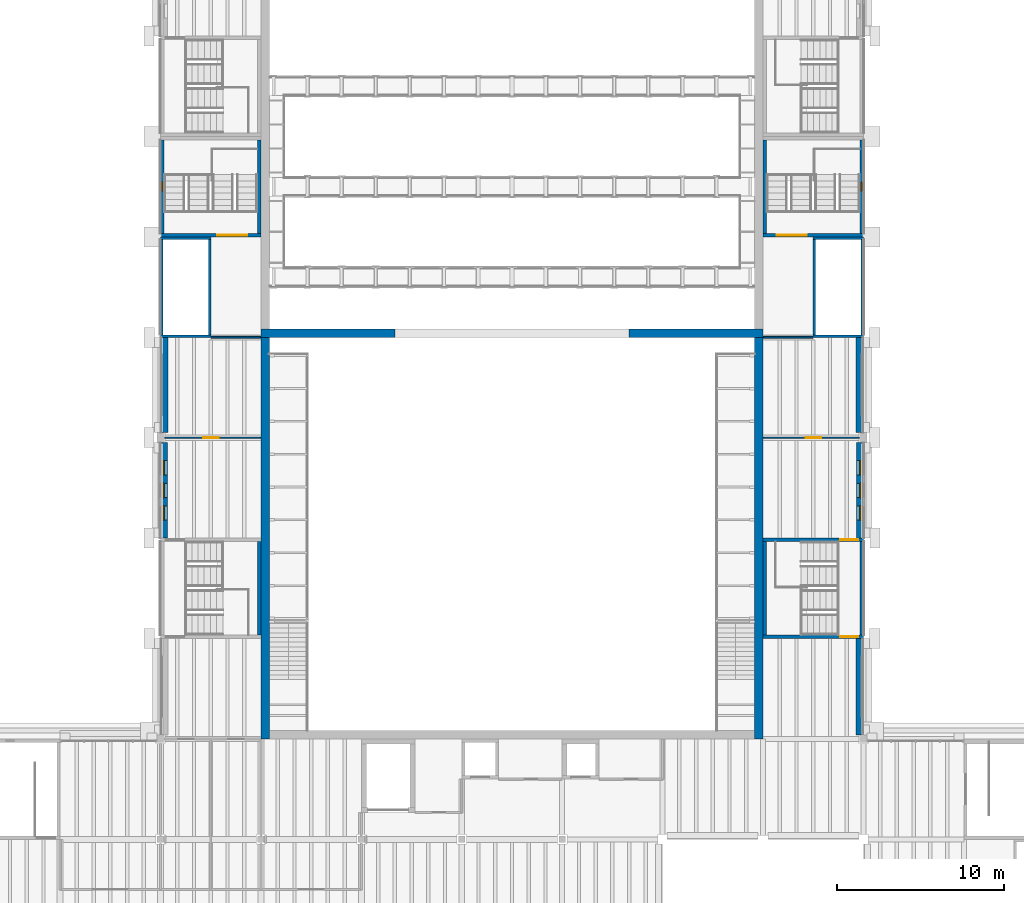
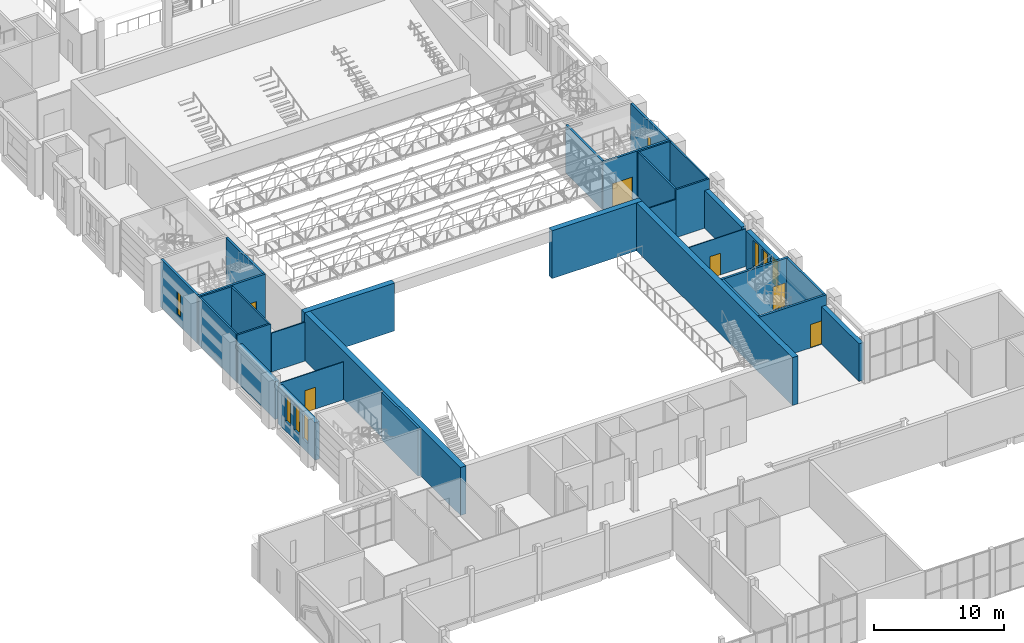
# One storey, part 27 of 70: 32 walls, 8 windows, 6 doors, 14 openings.
"""IFC4 building model written with IfcOpenShell, lengths in metres."""

from ifc_helpers import new_model, si_unit, direction, frame, frame_2d, origin, place, context, subcontext, project, spatial, rectangle, extrude, material, layer, layer_set, type_object, element, fill, save


model = new_model("IFC4")

# Units and contexts
model_context = context("Model", 3, precision=1e-05, world=origin(), true_north=direction((0.0, 1.0)))
body_context = subcontext(model_context, "Body", "Model", "MODEL_VIEW")
ifc_project = project(units=[si_unit("LENGTHUNIT", "METRE"), si_unit("AREAUNIT", "SQUARE_METRE"), si_unit("VOLUMEUNIT", "CUBIC_METRE"), si_unit("PLANEANGLEUNIT", "RADIAN"), si_unit("MASSUNIT", "GRAM", prefix="KILO")], contexts=[model_context])

# Site, building, storey
site_placement = place(None, origin())
site = spatial("IfcSite", under=ifc_project, at=site_placement, CompositionType="ELEMENT")
building_placement = place(site_placement, origin())
building = spatial("IfcBuilding", under=site, at=building_placement, Name="Saffron Lane Theatres", CompositionType="ELEMENT")
storey_placement = place(building_placement, frame((0.0, 0.0, 12.0)))
storey = spatial("IfcBuildingStorey", under=building, at=storey_placement, Name="L02", CompositionType="ELEMENT", Elevation=12.0)

# Wall, openings, windows
ifc_material_1 = material(Name="Masonry pale clay brick", Category="masonry")
ifc_layer_1 = layer(ifc_material_1, 0.11, Name="facing leaf")
ifc_material_2 = material(Name="Air cavity", Category="air")
ifc_layer_2 = layer(ifc_material_2, 0.05, ventilated=True, Name="cavity")
ifc_material_3 = material(Name="Mineral wool insulation")
ifc_layer_3 = layer(ifc_material_3, 0.06, Name="insulation")
ifc_material_4 = material(Name="Concrete N40 (40 MPa)", Category="concrete")
ifc_layer_4 = layer(ifc_material_4, 0.18, Name="inner leaf")
ifc_layer_set_1 = layer_set([ifc_layer_1, ifc_layer_2, ifc_layer_3, ifc_layer_4], Name="Masonry pale clay brick")
wall_type_1 = type_object("IfcWallType", Name="EX-WALL BRICK 400", PredefinedType="SOLIDWALL", material=ifc_layer_set_1)
wall_1_placement = place(storey_placement, frame((12.199951171875, 42.0, 0.0), z_axis=(0.0, 0.0, 1.0), x_axis=(0.0, 1.0, 0.0)))
wall_1 = element("IfcWall", 1, at=wall_1_placement, inside=storey, type_object=wall_type_1, Name="External wall L02 02", PredefinedType="SOLIDWALL", context=body_context, shape_type="SweptSolid", body=[
    extrude(rectangle(XDim=5.699951171875, YDim=0.39990234375, at=frame_2d((2.85009765625, 0.0))), origin(), (0.0, 0.0, 1.0), 3.550048828125),
])
opening_1_placement = place(wall_1_placement, frame((1.074951171875, 0.0, 0.89990234375)))
opening_1 = element("IfcOpeningElement", 2, at=opening_1_placement, cuts=wall_1, Name="Opening WN02-001", PredefinedType="OPENING", context=body_context, shape_type="SweptSolid", body=[
    extrude(rectangle(XDim=0.85009765625, YDim=2.449951171875, at=frame_2d((0.425048828125, 1.22509765625))), frame((0.0, 0.2099609375, 0.0), z_axis=(0.0, -1.0, 0.0), x_axis=(1.0, 0.0, 0.0)), (0.0, 0.0, 1.0), 0.419921875),
])
opening_2_placement = place(wall_1_placement, frame((2.425048828125, 0.0, 0.89990234375)))
opening_2 = element("IfcOpeningElement", 3, at=opening_2_placement, cuts=wall_1, Name="Opening WN02-002", PredefinedType="OPENING", context=body_context, shape_type="SweptSolid", body=[
    extrude(rectangle(XDim=0.85009765625, YDim=2.449951171875, at=frame_2d((0.425048828125, 1.22509765625))), frame((0.0, 0.2099609375, 0.0), z_axis=(0.0, -1.0, 0.0), x_axis=(1.0, 0.0, 0.0)), (0.0, 0.0, 1.0), 0.419921875),
])
opening_3_placement = place(wall_1_placement, frame((3.77490234375, 0.0, 0.89990234375)))
opening_3 = element("IfcOpeningElement", 4, at=opening_3_placement, cuts=wall_1, Name="Opening WN02-003", PredefinedType="OPENING", context=body_context, shape_type="SweptSolid", body=[
    extrude(rectangle(XDim=0.85009765625, YDim=2.449951171875, at=frame_2d((0.425048828125, 1.22509765625))), frame((0.0, 0.2099609375, 0.0), z_axis=(0.0, -1.0, 0.0), x_axis=(1.0, 0.0, 0.0)), (0.0, 0.0, 1.0), 0.419921875),
])
ifc_material_5 = material(Name="Aluminium", Category="aluminium")
window_type_1 = type_object("IfcWindowType", Name="EX-WINDOW 850x2450", PartitioningType="SINGLE_PANEL", PredefinedType="WINDOW", material=ifc_material_5)
window_1_placement = place(opening_1_placement, origin())
window_1 = element("IfcWindow", 5, at=window_1_placement, inside=storey, type_object=window_type_1, Name="Window L02 001", OverallHeight=2.449951171875, OverallWidth=0.85009765625, PartitioningType="SINGLE_PANEL", PredefinedType="WINDOW", context=body_context, shape_type="SweptSolid", body=[
    extrude(rectangle(XDim=0.85009765625, YDim=2.449951171875, at=frame_2d((0.425048828125, 1.22509765625))), frame((0.0, 0.030029296875, 0.0), z_axis=(0.0, -1.0, 0.0), x_axis=(1.0, 0.0, 0.0)), (0.0, 0.0, 1.0), 0.06005859375),
])
fill(opening_1, window_1)
window_2_placement = place(opening_2_placement, origin())
window_2 = element("IfcWindow", 6, at=window_2_placement, inside=storey, type_object=window_type_1, Name="Window L02 002", OverallHeight=2.449951171875, OverallWidth=0.85009765625, PartitioningType="SINGLE_PANEL", PredefinedType="WINDOW", context=body_context, shape_type="SweptSolid", body=[
    extrude(rectangle(XDim=0.85009765625, YDim=2.449951171875, at=frame_2d((0.425048828125, 1.22509765625))), frame((0.0, 0.030029296875, 0.0), z_axis=(0.0, -1.0, 0.0), x_axis=(1.0, 0.0, 0.0)), (0.0, 0.0, 1.0), 0.06005859375),
])
fill(opening_2, window_2)
window_3_placement = place(opening_3_placement, origin())
window_3 = element("IfcWindow", 7, at=window_3_placement, inside=storey, type_object=window_type_1, Name="Window L02 003", OverallHeight=2.449951171875, OverallWidth=0.85009765625, PartitioningType="SINGLE_PANEL", PredefinedType="WINDOW", context=body_context, shape_type="SweptSolid", body=[
    extrude(rectangle(XDim=0.85009765625, YDim=2.449951171875, at=frame_2d((0.425048828125, 1.22509765625))), frame((0.0, 0.030029296875, 0.0), z_axis=(0.0, -1.0, 0.0), x_axis=(1.0, 0.0, 0.0)), (0.0, 0.0, 1.0), 0.06005859375),
])
fill(opening_3, window_3)

# Walls
for number, where, z_axis, x_axis, name in (
    (8, (12.25, 48.300048828125, 0.0), (0.0, 0.0, 1.0), (0.0, 1.0, 0.0), "External wall L02 03"),
    (9, (53.75, 54.0, 0.0), (0.0, 0.0, 1.0), (0.0, -1.0, 0.0), "External wall L02 23"),
):
    element("IfcWall", number, at=place(storey_placement, frame(where, z_axis=z_axis, x_axis=x_axis)), inside=storey, type_object=wall_type_1, Name=name, PredefinedType="SOLIDWALL", context=body_context, shape_type="SweptSolid", body=[
        extrude(rectangle(XDim=5.699951171875, YDim=0.39990234375, at=frame_2d((2.85009765625, 0.0))), origin(), (0.0, 0.0, 1.0), 3.550048828125),
    ])

# Wall, openings, windows
wall_2_placement = place(storey_placement, frame((53.800048828125, 47.699951171875, 0.0), z_axis=(0.0, 0.0, 1.0), x_axis=(0.0, -1.0, 0.0)))
wall_2 = element("IfcWall", 10, at=wall_2_placement, inside=storey, type_object=wall_type_1, Name="External wall L02 24", PredefinedType="SOLIDWALL", context=body_context, shape_type="SweptSolid", body=[
    extrude(rectangle(XDim=5.699951171875, YDim=0.39990234375, at=frame_2d((2.85009765625, 0.0))), origin(), (0.0, 0.0, 1.0), 3.550048828125),
])
opening_4_placement = place(wall_2_placement, frame((1.074951171875, 0.0, 0.89990234375)))
opening_4 = element("IfcOpeningElement", 11, at=opening_4_placement, cuts=wall_2, Name="Opening WN02-024", PredefinedType="OPENING", context=body_context, shape_type="SweptSolid", body=[
    extrude(rectangle(XDim=0.85009765625, YDim=2.449951171875, at=frame_2d((0.425048828125, 1.22509765625))), frame((0.0, 0.2099609375, 0.0), z_axis=(0.0, -1.0, 0.0), x_axis=(1.0, 0.0, 0.0)), (0.0, 0.0, 1.0), 0.419921875),
])
opening_5_placement = place(wall_2_placement, frame((2.425048828125, 0.0, 0.89990234375)))
opening_5 = element("IfcOpeningElement", 12, at=opening_5_placement, cuts=wall_2, Name="Opening WN02-025", PredefinedType="OPENING", context=body_context, shape_type="SweptSolid", body=[
    extrude(rectangle(XDim=0.85009765625, YDim=2.449951171875, at=frame_2d((0.425048828125, 1.22509765625))), frame((0.0, 0.2099609375, 0.0), z_axis=(0.0, -1.0, 0.0), x_axis=(1.0, 0.0, 0.0)), (0.0, 0.0, 1.0), 0.419921875),
])
opening_6_placement = place(wall_2_placement, frame((3.77490234375, 0.0, 0.89990234375)))
opening_6 = element("IfcOpeningElement", 13, at=opening_6_placement, cuts=wall_2, Name="Opening WN02-026", PredefinedType="OPENING", context=body_context, shape_type="SweptSolid", body=[
    extrude(rectangle(XDim=0.85009765625, YDim=2.449951171875, at=frame_2d((0.425048828125, 1.22509765625))), frame((0.0, 0.2099609375, 0.0), z_axis=(0.0, -1.0, 0.0), x_axis=(1.0, 0.0, 0.0)), (0.0, 0.0, 1.0), 0.419921875),
])
window_4_placement = place(opening_4_placement, origin())
window_4 = element("IfcWindow", 14, at=window_4_placement, inside=storey, type_object=window_type_1, Name="Window L02 024", OverallHeight=2.449951171875, OverallWidth=0.85009765625, PartitioningType="SINGLE_PANEL", PredefinedType="WINDOW", context=body_context, shape_type="SweptSolid", body=[
    extrude(rectangle(XDim=0.85009765625, YDim=2.449951171875, at=frame_2d((0.425048828125, 1.22509765625))), frame((0.0, 0.030029296875, 0.0), z_axis=(0.0, -1.0, 0.0), x_axis=(1.0, 0.0, 0.0)), (0.0, 0.0, 1.0), 0.06005859375),
])
fill(opening_4, window_4)
window_5_placement = place(opening_5_placement, origin())
window_5 = element("IfcWindow", 15, at=window_5_placement, inside=storey, type_object=window_type_1, Name="Window L02 025", OverallHeight=2.449951171875, OverallWidth=0.85009765625, PartitioningType="SINGLE_PANEL", PredefinedType="WINDOW", context=body_context, shape_type="SweptSolid", body=[
    extrude(rectangle(XDim=0.85009765625, YDim=2.449951171875, at=frame_2d((0.425048828125, 1.22509765625))), frame((0.0, 0.030029296875, 0.0), z_axis=(0.0, -1.0, 0.0), x_axis=(1.0, 0.0, 0.0)), (0.0, 0.0, 1.0), 0.06005859375),
])
fill(opening_5, window_5)
window_6_placement = place(opening_6_placement, origin())
window_6 = element("IfcWindow", 16, at=window_6_placement, inside=storey, type_object=window_type_1, Name="Window L02 026", OverallHeight=2.449951171875, OverallWidth=0.85009765625, PartitioningType="SINGLE_PANEL", PredefinedType="WINDOW", context=body_context, shape_type="SweptSolid", body=[
    extrude(rectangle(XDim=0.85009765625, YDim=2.449951171875, at=frame_2d((0.425048828125, 1.22509765625))), frame((0.0, 0.030029296875, 0.0), z_axis=(0.0, -1.0, 0.0), x_axis=(1.0, 0.0, 0.0)), (0.0, 0.0, 1.0), 0.06005859375),
])
fill(opening_6, window_6)

# Walls
wall_3_placement = place(storey_placement, frame((53.75, 36.0, 0.0), z_axis=(0.0, 0.0, 1.0), x_axis=(0.0, -1.0, 0.0)))
element("IfcWall", 17, at=wall_3_placement, inside=storey, type_object=wall_type_1, Name="External wall L02 25", PredefinedType="SOLIDWALL", context=body_context, shape_type="SweptSolid", body=[
    extrude(rectangle(XDim=5.77490234375, YDim=0.39990234375, at=frame_2d((2.887451171875, 0.0))), origin(), (0.0, 0.0, 1.0), 3.550048828125),
])
ifc_material_6 = material(Name="Masonry block partition", Category="masonry")
ifc_layer_5 = layer(ifc_material_6, 0.110107421875)
ifc_layer_set_2 = layer_set([ifc_layer_5], Name="Masonry block partition")
wall_type_2 = type_object("IfcWallType", Name="IN-BLOCK PARTITION 110", PredefinedType="PARTITIONING", material=ifc_layer_set_2)
for number, where, z_axis, x_axis, name in (
    (18, (15.02001953125, 54.0, 0.0), (0.0, 0.0, 1.0), (1.0, 0.0, 0.0), "PW-L02-002"),
    (19, (48.02001953125, 54.0, 0.0), (0.0, 0.0, 1.0), (1.0, 0.0, 0.0), "PW-L02-012"),
):
    element("IfcWall", number, at=place(storey_placement, frame(where, z_axis=z_axis, x_axis=x_axis)), inside=storey, type_object=wall_type_2, Name=name, PredefinedType="PARTITIONING", context=body_context, shape_type="SweptSolid", body=[
        extrude(rectangle(XDim=2.9599609375, YDim=0.110107421875, at=frame_2d((1.47998046875, 0.0))), origin(), (0.0, 0.0, 1.0), 3.64990234375),
    ])

# Wall, opening, door
ifc_material_7 = material(Name="Plasterboard on 70 mm steel studs", Category="steel")
ifc_layer_6 = layer(ifc_material_7, 0.070068359375)
ifc_layer_set_3 = layer_set([ifc_layer_6], Name="Plasterboard on 70 mm steel studs")
wall_type_3 = type_object("IfcWallType", Name="IN-STUD PARTITION 070", PredefinedType="PARTITIONING", material=ifc_layer_set_3)
wall_4_placement = place(storey_placement, frame((12.2451171875, 48.0, 0.0), z_axis=(0.0, 0.0, 1.0), x_axis=(1.0, 0.0, 0.0)))
wall_4 = element("IfcWall", 20, at=wall_4_placement, inside=storey, type_object=wall_type_3, Name="PW-L02-052", PredefinedType="PARTITIONING", context=body_context, shape_type="SweptSolid", body=[
    extrude(rectangle(XDim=5.73486328125, YDim=0.070068359375, at=frame_2d((2.867431640625, 0.0))), origin(), (0.0, 0.0, 1.0), 3.550048828125),
])
opening_7_placement = place(wall_4_placement, frame((2.304931640625, 0.0, 0.0)))
opening_7 = element("IfcOpeningElement", 21, at=opening_7_placement, cuts=wall_4, Name="Opening D02-09", PredefinedType="OPENING", context=body_context, shape_type="SweptSolid", body=[
    extrude(rectangle(XDim=0.919921875, YDim=2.0400390625, at=frame_2d((0.4599609375, 1.02001953125))), frame((0.0, 0.044921875, 0.0), z_axis=(0.0, -1.0, 0.0), x_axis=(1.0, 0.0, 0.0)), (0.0, 0.0, 1.0), 0.090087890625),
])
ifc_material_8 = material(Name="Timber door leaf", Category="wood")
door_type_1 = type_object("IfcDoorType", Name="IN-DOOR 920x2040", OperationType="NOTDEFINED", PredefinedType="DOOR", material=ifc_material_8)
door_1_placement = place(opening_7_placement, origin())
door_1 = element("IfcDoor", 22, at=door_1_placement, inside=storey, type_object=door_type_1, Name="D02-09", OperationType="SINGLE_SWING_LEFT", OverallHeight=2.0400390625, OverallWidth=0.919921875, PredefinedType="DOOR", context=body_context, shape_type="SweptSolid", body=[
    extrude(rectangle(XDim=0.919921875, YDim=2.0400390625, at=frame_2d((0.4599609375, 1.02001953125))), frame((0.0, 0.02490234375, 0.0), z_axis=(0.0, -1.0, 0.0), x_axis=(1.0, 0.0, 0.0)), (0.0, 0.0, 1.0), 0.050048828125),
])
fill(opening_7, door_1)

wall_5_placement = place(storey_placement, frame((48.02001953125, 48.0, 0.0), z_axis=(0.0, 0.0, 1.0), x_axis=(1.0, 0.0, 0.0)))
wall_5 = element("IfcWall", 23, at=wall_5_placement, inside=storey, type_object=wall_type_3, Name="PW-L02-053", PredefinedType="PARTITIONING", context=body_context, shape_type="SweptSolid", body=[
    extrude(rectangle(XDim=5.73486328125, YDim=0.070068359375, at=frame_2d((2.867431640625, 0.0))), origin(), (0.0, 0.0, 1.0), 3.550048828125),
])
opening_8_placement = place(wall_5_placement, frame((2.530029296875, 0.0, 0.0)))
opening_8 = element("IfcOpeningElement", 24, at=opening_8_placement, cuts=wall_5, Name="Opening D02-10", PredefinedType="OPENING", context=body_context, shape_type="SweptSolid", body=[
    extrude(rectangle(XDim=0.919921875, YDim=2.0400390625, at=frame_2d((0.4599609375, 1.02001953125))), frame((0.0, 0.044921875, 0.0), z_axis=(0.0, -1.0, 0.0), x_axis=(1.0, 0.0, 0.0)), (0.0, 0.0, 1.0), 0.090087890625),
])
door_2_placement = place(opening_8_placement, origin())
door_2 = element("IfcDoor", 25, at=door_2_placement, inside=storey, type_object=door_type_1, Name="D02-10", OperationType="SINGLE_SWING_LEFT", OverallHeight=2.0400390625, OverallWidth=0.919921875, PredefinedType="DOOR", context=body_context, shape_type="SweptSolid", body=[
    extrude(rectangle(XDim=0.919921875, YDim=2.0400390625, at=frame_2d((0.4599609375, 1.02001953125))), frame((0.0, 0.02490234375, 0.0), z_axis=(0.0, -1.0, 0.0), x_axis=(1.0, 0.0, 0.0)), (0.0, 0.0, 1.0), 0.050048828125),
])
fill(opening_8, door_2)

# Walls
ifc_material_9 = material(Name="Concrete N50 (50 MPa)", Category="concrete")
ifc_layer_7 = layer(ifc_material_9, 0.14990234375)
ifc_layer_set_4 = layer_set([ifc_layer_7], Name="Concrete N50 (50 MPa)")
wall_type_4 = type_object("IfcWallType", Name="RC-CORE 150", PredefinedType="SHEAR", material=ifc_layer_set_4)
for number, where, z_axis, x_axis, name in (
    (26, (12.0, 59.925048828125, 0.0), (0.0, 0.0, 1.0), (1.0, 0.0, 0.0), "W-R3-N-L02"),
    (27, (12.0, 54.074951171875, 0.0), (0.0, 0.0, 1.0), (1.0, 0.0, 0.0), "W-R3-S-L02"),
):
    element("IfcWall", number, at=place(storey_placement, frame(where, z_axis=z_axis, x_axis=x_axis)), inside=storey, type_object=wall_type_4, Name=name, PredefinedType="SHEAR", context=body_context, shape_type="SweptSolid", body=[
        extrude(rectangle(XDim=3.0, YDim=0.14990234375, at=frame_2d((1.5, 0.0))), origin(), (0.0, 0.0, 1.0), 4.5),
    ])
wall_6_placement = place(storey_placement, frame((14.925048828125, 54.14990234375, 0.0), z_axis=(0.0, 0.0, 1.0), x_axis=(0.0, 1.0, 0.0)))
element("IfcWall", 28, at=wall_6_placement, inside=storey, type_object=wall_type_4, Name="W-R3-E-L02", PredefinedType="SHEAR", context=body_context, shape_type="SweptSolid", body=[
    extrude(rectangle(XDim=5.7001953125, YDim=0.14990234375, at=frame_2d((2.85009765625, 0.0))), origin(), (0.0, 0.0, 1.0), 4.5),
])
for number, where, z_axis, x_axis, name in (
    (29, (51.0, 59.925048828125, 0.0), (0.0, 0.0, 1.0), (1.0, 0.0, 0.0), "W-R4-N-L02"),
    (30, (51.0, 54.074951171875, 0.0), (0.0, 0.0, 1.0), (1.0, 0.0, 0.0), "W-R4-S-L02"),
):
    element("IfcWall", number, at=place(storey_placement, frame(where, z_axis=z_axis, x_axis=x_axis)), inside=storey, type_object=wall_type_4, Name=name, PredefinedType="SHEAR", context=body_context, shape_type="SweptSolid", body=[
        extrude(rectangle(XDim=3.0, YDim=0.14990234375, at=frame_2d((1.5, 0.0))), origin(), (0.0, 0.0, 1.0), 4.5),
    ])
wall_7_placement = place(storey_placement, frame((51.074951171875, 54.14990234375, 0.0), z_axis=(0.0, 0.0, 1.0), x_axis=(0.0, 1.0, 0.0)))
element("IfcWall", 31, at=wall_7_placement, inside=storey, type_object=wall_type_4, Name="W-R4-W-L02", PredefinedType="SHEAR", context=body_context, shape_type="SweptSolid", body=[
    extrude(rectangle(XDim=5.7001953125, YDim=0.14990234375, at=frame_2d((2.85009765625, 0.0))), origin(), (0.0, 0.0, 1.0), 4.5),
])

# Wall, opening, door
ifc_material_10 = material(Name="Concrete N50 (50 MPa)", Category="concrete")
ifc_layer_8 = layer(ifc_material_10, 0.199951171875)
ifc_layer_set_5 = layer_set([ifc_layer_8], Name="Concrete N50 (50 MPa)")
wall_type_5 = type_object("IfcWallType", Name="RC-CORE 200", PredefinedType="SHEAR", material=ifc_layer_set_5)
wall_8_placement = place(storey_placement, frame((12.0, 60.10009765625, 0.0), z_axis=(0.0, 0.0, 1.0), x_axis=(1.0, 0.0, 0.0)))
wall_8 = element("IfcWall", 32, at=wall_8_placement, inside=storey, type_object=wall_type_5, Name="W-ST10-S-L02", PredefinedType="SHEAR", context=body_context, shape_type="SweptSolid", body=[
    extrude(rectangle(XDim=6.0, YDim=0.199951171875, at=frame_2d((3.0, 0.0))), origin(), (0.0, 0.0, 1.0), 4.5),
])
opening_9_placement = place(wall_8_placement, frame((3.375, 0.0, 0.0)))
opening_9 = element("IfcOpeningElement", 33, at=opening_9_placement, cuts=wall_8, Name="Opening D02-20", PredefinedType="OPENING", context=body_context, shape_type="SweptSolid", body=[
    extrude(rectangle(XDim=1.800048828125, YDim=2.199951171875, at=frame_2d((0.89990234375, 1.10009765625))), frame((0.0, 0.10986328125, 0.0), z_axis=(0.0, -1.0, 0.0), x_axis=(1.0, 0.0, 0.0)), (0.0, 0.0, 1.0), 0.219970703125),
])
ifc_material_11 = material(Name="Steel faced fire door leaf", Category="steel")
door_type_2 = type_object("IfcDoorType", Name="IN-DOOR 1800x2200 FD120", OperationType="DOUBLE_DOOR_SINGLE_SWING", PredefinedType="DOOR", material=ifc_material_11)
door_3_placement = place(opening_9_placement, origin())
door_3 = element("IfcDoor", 34, at=door_3_placement, inside=storey, type_object=door_type_2, Name="D02-20", OperationType="DOUBLE_DOOR_SINGLE_SWING", OverallHeight=2.199951171875, OverallWidth=1.800048828125, PredefinedType="DOOR", context=body_context, shape_type="SweptSolid", body=[
    extrude(rectangle(XDim=1.800048828125, YDim=2.199951171875, at=frame_2d((0.89990234375, 1.10009765625))), frame((0.0, 0.02490234375, 0.0), z_axis=(0.0, -1.0, 0.0), x_axis=(1.0, 0.0, 0.0)), (0.0, 0.0, 1.0), 0.050048828125),
])
fill(opening_9, door_3)

# Wall
wall_9_placement = place(storey_placement, frame((17.89990234375, 60.199951171875, 0.0), z_axis=(0.0, 0.0, 1.0), x_axis=(0.0, 1.0, 0.0)))
element("IfcWall", 35, at=wall_9_placement, inside=storey, type_object=wall_type_5, Name="W-ST10-E-L02", PredefinedType="SHEAR", context=body_context, shape_type="SweptSolid", body=[
    extrude(rectangle(XDim=5.60009765625, YDim=0.199951171875, at=frame_2d((2.800048828125, 0.0))), origin(), (0.0, 0.0, 1.0), 4.5),
])

# Wall, opening, door
wall_10_placement = place(storey_placement, frame((48.0, 60.10009765625, 0.0), z_axis=(0.0, 0.0, 1.0), x_axis=(1.0, 0.0, 0.0)))
wall_10 = element("IfcWall", 36, at=wall_10_placement, inside=storey, type_object=wall_type_5, Name="W-ST11-S-L02", PredefinedType="SHEAR", context=body_context, shape_type="SweptSolid", body=[
    extrude(rectangle(XDim=6.0, YDim=0.199951171875, at=frame_2d((3.0, 0.0))), origin(), (0.0, 0.0, 1.0), 4.5),
])
opening_10_placement = place(wall_10_placement, frame((0.824951171875, 0.0, 0.0)))
opening_10 = element("IfcOpeningElement", 37, at=opening_10_placement, cuts=wall_10, Name="Opening D02-21", PredefinedType="OPENING", context=body_context, shape_type="SweptSolid", body=[
    extrude(rectangle(XDim=1.800048828125, YDim=2.199951171875, at=frame_2d((0.89990234375, 1.10009765625))), frame((0.0, 0.10986328125, 0.0), z_axis=(0.0, -1.0, 0.0), x_axis=(1.0, 0.0, 0.0)), (0.0, 0.0, 1.0), 0.219970703125),
])
door_4_placement = place(opening_10_placement, origin())
door_4 = element("IfcDoor", 38, at=door_4_placement, inside=storey, type_object=door_type_2, Name="D02-21", OperationType="DOUBLE_DOOR_SINGLE_SWING", OverallHeight=2.199951171875, OverallWidth=1.800048828125, PredefinedType="DOOR", context=body_context, shape_type="SweptSolid", body=[
    extrude(rectangle(XDim=1.800048828125, YDim=2.199951171875, at=frame_2d((0.89990234375, 1.10009765625))), frame((0.0, 0.02490234375, 0.0), z_axis=(0.0, -1.0, 0.0), x_axis=(1.0, 0.0, 0.0)), (0.0, 0.0, 1.0), 0.050048828125),
])
fill(opening_10, door_4)

# Walls
for number, where, z_axis, x_axis, name in (
    (39, (48.10009765625, 60.199951171875, 0.0), (0.0, 0.0, 1.0), (0.0, 1.0, 0.0), "W-ST11-W-L02"),
    (40, (17.89990234375, 36.199951171875, 0.0), (0.0, 0.0, 1.0), (0.0, 1.0, 0.0), "W-ST5-E-L02"),
):
    element("IfcWall", number, at=place(storey_placement, frame(where, z_axis=z_axis, x_axis=x_axis)), inside=storey, type_object=wall_type_5, Name=name, PredefinedType="SHEAR", context=body_context, shape_type="SweptSolid", body=[
        extrude(rectangle(XDim=5.60009765625, YDim=0.199951171875, at=frame_2d((2.800048828125, 0.0))), origin(), (0.0, 0.0, 1.0), 4.5),
    ])

# Wall, opening, door
wall_11_placement = place(storey_placement, frame((48.0, 41.89990234375, 0.0), z_axis=(0.0, 0.0, 1.0), x_axis=(1.0, 0.0, 0.0)))
wall_11 = element("IfcWall", 41, at=wall_11_placement, inside=storey, type_object=wall_type_5, Name="W-ST6-N-L02", PredefinedType="SHEAR", context=body_context, shape_type="SweptSolid", body=[
    extrude(rectangle(XDim=6.0, YDim=0.199951171875, at=frame_2d((3.0, 0.0))), origin(), (0.0, 0.0, 1.0), 4.5),
])
opening_11_placement = place(wall_11_placement, frame((4.60009765625, 0.0, 0.0)))
opening_11 = element("IfcOpeningElement", 42, at=opening_11_placement, cuts=wall_11, Name="Opening D02-25", PredefinedType="OPENING", context=body_context, shape_type="SweptSolid", body=[
    extrude(rectangle(XDim=1.10009765625, YDim=2.199951171875, at=frame_2d((0.550048828125, 1.10009765625))), frame((0.0, 0.10986328125, 0.0), z_axis=(0.0, -1.0, 0.0), x_axis=(1.0, 0.0, 0.0)), (0.0, 0.0, 1.0), 0.219970703125),
])
ifc_material_12 = material(Name="Steel faced fire door leaf", Category="steel")
door_type_3 = type_object("IfcDoorType", Name="IN-DOOR 1100x2200 FD120", OperationType="NOTDEFINED", PredefinedType="DOOR", material=ifc_material_12)
door_5_placement = place(opening_11_placement, frame((1.10009765625, 0.0, 0.0), z_axis=(0.0, 0.0, 1.0), x_axis=(-1.0, 0.0, 0.0)))
door_5 = element("IfcDoor", 43, at=door_5_placement, inside=storey, type_object=door_type_3, Name="D02-25", OperationType="SINGLE_SWING_RIGHT", OverallHeight=2.199951171875, OverallWidth=1.10009765625, PredefinedType="DOOR", context=body_context, shape_type="SweptSolid", body=[
    extrude(rectangle(XDim=1.10009765625, YDim=2.199951171875, at=frame_2d((0.550048828125, 1.10009765625))), frame((0.0, 0.02490234375, 0.0), z_axis=(0.0, -1.0, 0.0), x_axis=(1.0, 0.0, 0.0)), (0.0, 0.0, 1.0), 0.050048828125),
])
fill(opening_11, door_5)

wall_12_placement = place(storey_placement, frame((48.0, 36.10009765625, 0.0), z_axis=(0.0, 0.0, 1.0), x_axis=(1.0, 0.0, 0.0)))
wall_12 = element("IfcWall", 44, at=wall_12_placement, inside=storey, type_object=wall_type_5, Name="W-ST6-S-L02", PredefinedType="SHEAR", context=body_context, shape_type="SweptSolid", body=[
    extrude(rectangle(XDim=6.0, YDim=0.199951171875, at=frame_2d((3.0, 0.0))), origin(), (0.0, 0.0, 1.0), 4.5),
])
opening_12_placement = place(wall_12_placement, frame((4.60009765625, 0.0, 0.0)))
opening_12 = element("IfcOpeningElement", 45, at=opening_12_placement, cuts=wall_12, Name="Opening D02-24", PredefinedType="OPENING", context=body_context, shape_type="SweptSolid", body=[
    extrude(rectangle(XDim=1.10009765625, YDim=2.199951171875, at=frame_2d((0.550048828125, 1.10009765625))), frame((0.0, 0.10986328125, 0.0), z_axis=(0.0, -1.0, 0.0), x_axis=(1.0, 0.0, 0.0)), (0.0, 0.0, 1.0), 0.219970703125),
])
door_6_placement = place(opening_12_placement, origin())
door_6 = element("IfcDoor", 46, at=door_6_placement, inside=storey, type_object=door_type_3, Name="D02-24", OperationType="SINGLE_SWING_LEFT", OverallHeight=2.199951171875, OverallWidth=1.10009765625, PredefinedType="DOOR", context=body_context, shape_type="SweptSolid", body=[
    extrude(rectangle(XDim=1.10009765625, YDim=2.199951171875, at=frame_2d((0.550048828125, 1.10009765625))), frame((0.0, 0.02490234375, 0.0), z_axis=(0.0, -1.0, 0.0), x_axis=(1.0, 0.0, 0.0)), (0.0, 0.0, 1.0), 0.050048828125),
])
fill(opening_12, door_6)

# Walls
wall_13_placement = place(storey_placement, frame((48.10009765625, 36.199951171875, 0.0), z_axis=(0.0, 0.0, 1.0), x_axis=(0.0, 1.0, 0.0)))
element("IfcWall", 47, at=wall_13_placement, inside=storey, type_object=wall_type_5, Name="W-ST6-W-L02", PredefinedType="SHEAR", context=body_context, shape_type="SweptSolid", body=[
    extrude(rectangle(XDim=5.60009765625, YDim=0.199951171875, at=frame_2d((2.800048828125, 0.0))), origin(), (0.0, 0.0, 1.0), 4.5),
])
ifc_material_13 = material(Name="Concrete N50 (50 MPa)", Category="concrete")
ifc_layer_9 = layer(ifc_material_13, 0.14990234375)
ifc_layer_set_6 = layer_set([ifc_layer_9], Name="Concrete N50 (50 MPa)")
wall_type_6 = type_object("IfcWallType", Name="RC-CORE EXTERNAL 150", PredefinedType="SHEAR", material=ifc_layer_set_6)
for number, where, z_axis, x_axis, name in (
    (48, (12.074951171875, 54.14990234375, 0.0), (0.0, 0.0, 1.0), (0.0, 1.0, 0.0), "W-R3-W-L02"),
    (49, (53.925048828125, 54.14990234375, 0.0), (0.0, 0.0, 1.0), (0.0, 1.0, 0.0), "W-R4-E-L02"),
):
    element("IfcWall", number, at=place(storey_placement, frame(where, z_axis=z_axis, x_axis=x_axis)), inside=storey, type_object=wall_type_6, Name=name, PredefinedType="SHEAR", context=body_context, shape_type="SweptSolid", body=[
        extrude(rectangle(XDim=5.7001953125, YDim=0.14990234375, at=frame_2d((2.85009765625, 0.0))), origin(), (0.0, 0.0, 1.0), 4.5),
    ])

# Wall, opening, window
ifc_material_14 = material(Name="Concrete N50 (50 MPa)", Category="concrete")
ifc_layer_10 = layer(ifc_material_14, 0.199951171875)
ifc_layer_set_7 = layer_set([ifc_layer_10], Name="Concrete N50 (50 MPa)")
wall_type_7 = type_object("IfcWallType", Name="RC-CORE EXTERNAL 200", PredefinedType="SHEAR", material=ifc_layer_set_7)
wall_14_placement = place(storey_placement, frame((12.10009765625, 60.199951171875, 0.0), z_axis=(0.0, 0.0, 1.0), x_axis=(0.0, 1.0, 0.0)))
wall_14 = element("IfcWall", 50, at=wall_14_placement, inside=storey, type_object=wall_type_7, Name="W-ST10-W-L02", PredefinedType="SHEAR", context=body_context, shape_type="SweptSolid", body=[
    extrude(rectangle(XDim=5.60009765625, YDim=0.199951171875, at=frame_2d((2.800048828125, 0.0))), origin(), (0.0, 0.0, 1.0), 4.5),
])
opening_13_placement = place(wall_14_placement, frame((2.550048828125, 0.0, 0.89990234375)))
opening_13 = element("IfcOpeningElement", 51, at=opening_13_placement, cuts=wall_14, Name="Opening WN02-029", PredefinedType="OPENING", context=body_context, shape_type="SweptSolid", body=[
    extrude(rectangle(XDim=0.5, YDim=2.10009765625, at=frame_2d((0.25, 1.050048828125))), frame((0.0, 0.10986328125, 0.0), z_axis=(0.0, -1.0, 0.0), x_axis=(1.0, 0.0, 0.0)), (0.0, 0.0, 1.0), 0.219970703125),
])
ifc_material_15 = material(Name="Aluminium", Category="aluminium")
window_type_2 = type_object("IfcWindowType", Name="EX-WINDOW 500x2100", PartitioningType="SINGLE_PANEL", PredefinedType="WINDOW", material=ifc_material_15)
window_7_placement = place(opening_13_placement, origin())
window_7 = element("IfcWindow", 52, at=window_7_placement, inside=storey, type_object=window_type_2, Name="Stair light ST10 L02", OverallHeight=2.10009765625, OverallWidth=0.5, PartitioningType="SINGLE_PANEL", PredefinedType="WINDOW", context=body_context, shape_type="SweptSolid", body=[
    extrude(rectangle(XDim=0.5, YDim=2.10009765625, at=frame_2d((0.25, 1.050048828125))), frame((0.0, 0.030029296875, 0.0), z_axis=(0.0, -1.0, 0.0), x_axis=(1.0, 0.0, 0.0)), (0.0, 0.0, 1.0), 0.06005859375),
])
fill(opening_13, window_7)

wall_15_placement = place(storey_placement, frame((53.89990234375, 60.199951171875, 0.0), z_axis=(0.0, 0.0, 1.0), x_axis=(0.0, 1.0, 0.0)))
wall_15 = element("IfcWall", 53, at=wall_15_placement, inside=storey, type_object=wall_type_7, Name="W-ST11-E-L02", PredefinedType="SHEAR", context=body_context, shape_type="SweptSolid", body=[
    extrude(rectangle(XDim=5.60009765625, YDim=0.199951171875, at=frame_2d((2.800048828125, 0.0))), origin(), (0.0, 0.0, 1.0), 4.5),
])
opening_14_placement = place(wall_15_placement, frame((2.550048828125, 0.0, 0.89990234375)))
opening_14 = element("IfcOpeningElement", 54, at=opening_14_placement, cuts=wall_15, Name="Opening WN02-030", PredefinedType="OPENING", context=body_context, shape_type="SweptSolid", body=[
    extrude(rectangle(XDim=0.5, YDim=2.10009765625, at=frame_2d((0.25, 1.050048828125))), frame((0.0, 0.10986328125, 0.0), z_axis=(0.0, -1.0, 0.0), x_axis=(1.0, 0.0, 0.0)), (0.0, 0.0, 1.0), 0.219970703125),
])
window_8_placement = place(opening_14_placement, origin())
window_8 = element("IfcWindow", 55, at=window_8_placement, inside=storey, type_object=window_type_2, Name="Stair light ST11 L02", OverallHeight=2.10009765625, OverallWidth=0.5, PartitioningType="SINGLE_PANEL", PredefinedType="WINDOW", context=body_context, shape_type="SweptSolid", body=[
    extrude(rectangle(XDim=0.5, YDim=2.10009765625, at=frame_2d((0.25, 1.050048828125))), frame((0.0, 0.030029296875, 0.0), z_axis=(0.0, -1.0, 0.0), x_axis=(1.0, 0.0, 0.0)), (0.0, 0.0, 1.0), 0.06005859375),
])
fill(opening_14, window_8)

# Walls
wall_16_placement = place(storey_placement, frame((53.89990234375, 36.199951171875, 0.0), z_axis=(0.0, 0.0, 1.0), x_axis=(0.0, 1.0, 0.0)))
element("IfcWall", 56, at=wall_16_placement, inside=storey, type_object=wall_type_7, Name="W-ST6-E-L02", PredefinedType="SHEAR", context=body_context, shape_type="SweptSolid", body=[
    extrude(rectangle(XDim=5.60009765625, YDim=0.199951171875, at=frame_2d((2.800048828125, 0.0))), origin(), (0.0, 0.0, 1.0), 4.5),
])
ifc_material_16 = material(Name="Concrete N50 (50 MPa)", Category="concrete")
ifc_layer_11 = layer(ifc_material_16, 0.5)
ifc_layer_set_8 = layer_set([ifc_layer_11], Name="Concrete N50 (50 MPa)")
wall_type_8 = type_object("IfcWallType", Name="RC-PROSCENIUM 500", PredefinedType="SHEAR", material=ifc_layer_set_8)
for number, where, z_axis, x_axis, name in (
    (57, (18.0, 54.25, 0.0), (0.0, 0.0, 1.0), (1.0, 0.0, 0.0), "W-PROSC-L02-A"),
    (58, (40.0, 54.25, 0.0), (0.0, 0.0, 1.0), (1.0, 0.0, 0.0), "W-PROSC-L02-B"),
):
    element("IfcWall", number, at=place(storey_placement, frame(where, z_axis=z_axis, x_axis=x_axis)), inside=storey, type_object=wall_type_8, Name=name, PredefinedType="SHEAR", context=body_context, shape_type="SweptSolid", body=[
        extrude(rectangle(XDim=8.0, YDim=0.5, at=frame_2d((4.0, 0.0))), origin(), (0.0, 0.0, 1.0), 4.5),
    ])
ifc_material_17 = material(Name="Concrete N50 (50 MPa)", Category="concrete")
ifc_layer_12 = layer(ifc_material_17, 0.5)
ifc_layer_set_9 = layer_set([ifc_layer_12], Name="Concrete N50 (50 MPa)")
wall_type_9 = type_object("IfcWallType", Name="RC-WALL 500", PredefinedType="SHEAR", material=ifc_layer_set_9)
for number, where, z_axis, x_axis, name in (
    (59, (18.25, 30.0, 0.0), (0.0, 0.0, 1.0), (0.0, 1.0, 0.0), "W-STGS-W-L02"),
    (60, (47.75, 30.0, 0.0), (0.0, 0.0, 1.0), (0.0, 1.0, 0.0), "W-STGS-E-L02"),
):
    element("IfcWall", number, at=place(storey_placement, frame(where, z_axis=z_axis, x_axis=x_axis)), inside=storey, type_object=wall_type_9, Name=name, PredefinedType="SHEAR", context=body_context, shape_type="SweptSolid", body=[
        extrude(rectangle(XDim=24.0, YDim=0.5, at=frame_2d((12.0, 0.0))), origin(), (0.0, 0.0, 1.0), 4.5),
    ])

save(model, "model.ifc")
